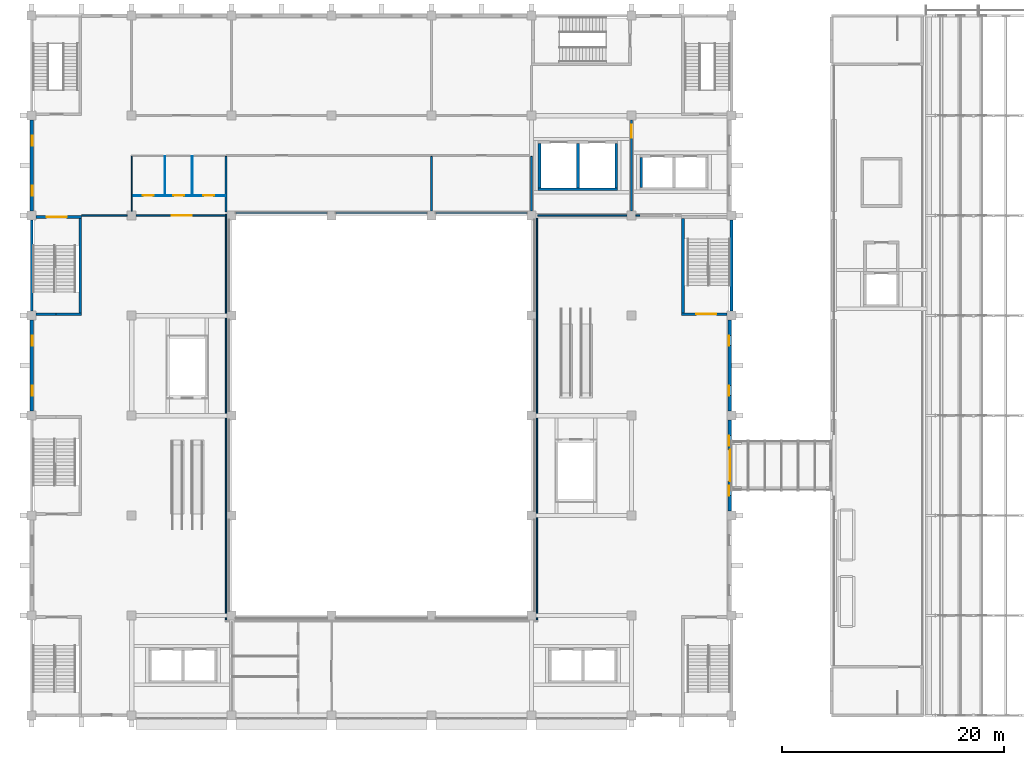
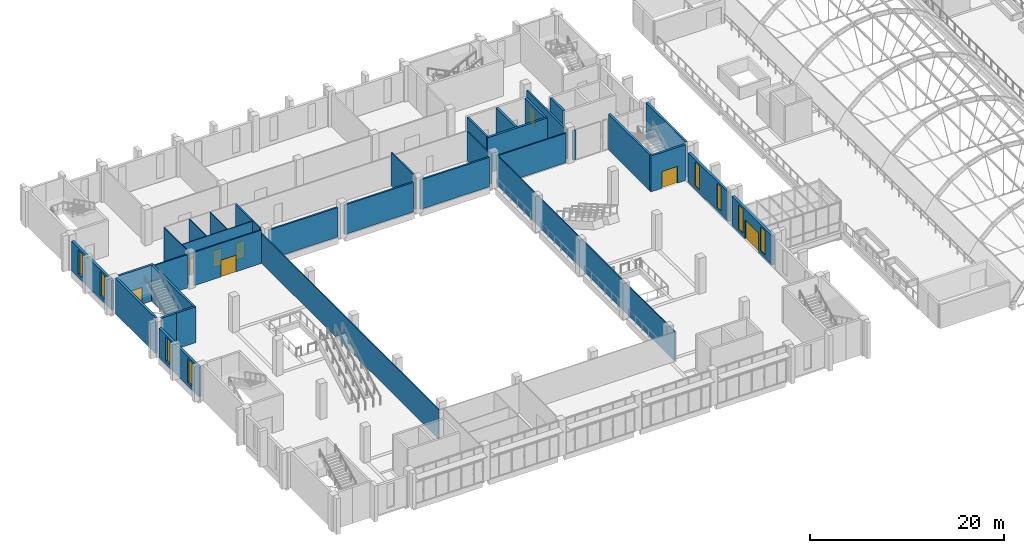
# One storey, part 54 of 79: 34 walls, 8 doors, 8 windows, 16 openings.
"""IFC4 building model written with IfcOpenShell, lengths in metres."""

from ifc_helpers import new_model, si_unit, direction, frame, frame_2d, origin, place, context, subcontext, project, spatial, rectangle, extrude, material, layer, layer_set, type_object, element, fill, save


model = new_model("IFC4")

# Units and contexts
model_context = context("Model", 3, precision=1e-05, world=origin(), true_north=direction((0.0, 1.0)))
body_context = subcontext(model_context, "Body", "Model", "MODEL_VIEW")
ifc_project = project(units=[si_unit("LENGTHUNIT", "METRE"), si_unit("AREAUNIT", "SQUARE_METRE"), si_unit("VOLUMEUNIT", "CUBIC_METRE"), si_unit("PLANEANGLEUNIT", "RADIAN"), si_unit("MASSUNIT", "GRAM", prefix="KILO")], contexts=[model_context])

# Site, building, storey
site_placement = place(None, origin())
site = spatial("IfcSite", under=ifc_project, at=site_placement, CompositionType="ELEMENT")
building_placement = place(site_placement, origin())
building = spatial("IfcBuilding", under=site, at=building_placement, Name="Guidao Yard Department Store", CompositionType="ELEMENT")
storey_placement = place(building_placement, frame((0.0, 0.0, 15.0)))
storey = spatial("IfcBuildingStorey", under=building, at=storey_placement, Name="L03", CompositionType="ELEMENT", Elevation=15.0)

# Wall, openings, doors
ifc_material_1 = material(Name="Moisture-resistant board on Steel Q235 studs", Category="steel")
ifc_layer_1 = layer(ifc_material_1, 0.080078125)
ifc_layer_set_1 = layer_set([ifc_layer_1], Name="Cubicle and Duct Partition P8 80 mm moisture-resistant board")
wall_type_1 = type_object("IfcWallType", Name="Cubicle and Duct Partition P8 80 mm moisture-resistant board", PredefinedType="PARTITIONING", material=ifc_layer_set_1)
wall_1_placement = place(storey_placement, frame((9.050048828125, 91.800048828125, 0.0), z_axis=(0.0, 0.0, 1.0), x_axis=(1.0, 0.0, 0.0)))
wall_1 = element("IfcWall", 1, at=wall_1_placement, inside=storey, type_object=wall_type_1, Name="Wall W-HL03-023", PredefinedType="PARTITIONING", context=body_context, shape_type="SweptSolid", body=[
    extrude(rectangle(XDim=8.375, YDim=0.080078125, at=frame_2d((4.1875, 0.0))), origin(), (0.0, 0.0, 1.0), 4.199951171875),
])
opening_1_placement = place(wall_1_placement, frame((0.949951171875, 0.0, 0.0)))
opening_1 = element("IfcOpeningElement", 2, at=opening_1_placement, cuts=wall_1, Name="Opening HL03-006", PredefinedType="OPENING", context=body_context, shape_type="SweptSolid", body=[
    extrude(rectangle(XDim=1.0, YDim=2.10009765625, at=frame_2d((0.5, 1.050048828125))), frame((0.0, 0.050048828125, 0.0), z_axis=(0.0, -1.0, 0.0), x_axis=(1.0, 0.0, 0.0)), (0.0, 0.0, 1.0), 0.10009765625),
])
opening_2_placement = place(wall_1_placement, frame((3.675048828125, 0.0, 0.0)))
opening_2 = element("IfcOpeningElement", 3, at=opening_2_placement, cuts=wall_1, Name="Opening HL03-007", PredefinedType="OPENING", context=body_context, shape_type="SweptSolid", body=[
    extrude(rectangle(XDim=1.0, YDim=2.10009765625, at=frame_2d((0.5, 1.050048828125))), frame((0.0, 0.050048828125, 0.0), z_axis=(0.0, -1.0, 0.0), x_axis=(1.0, 0.0, 0.0)), (0.0, 0.0, 1.0), 0.10009765625),
])
opening_3_placement = place(wall_1_placement, frame((6.39990234375, 0.0, 0.0)))
opening_3 = element("IfcOpeningElement", 4, at=opening_3_placement, cuts=wall_1, Name="Opening HL03-008", PredefinedType="OPENING", context=body_context, shape_type="SweptSolid", body=[
    extrude(rectangle(XDim=1.0, YDim=2.10009765625, at=frame_2d((0.5, 1.050048828125))), frame((0.0, 0.050048828125, 0.0), z_axis=(0.0, -1.0, 0.0), x_axis=(1.0, 0.0, 0.0)), (0.0, 0.0, 1.0), 0.10009765625),
])
ifc_material_2 = material(Name="Timber door leaf", Category="wood")
door_type_1 = type_object("IfcDoorType", Name="Door AD10 accessible WC 1000 x 2100", OperationType="SINGLE_SWING_LEFT", PredefinedType="DOOR", material=ifc_material_2)
door_1_placement = place(opening_2_placement, origin())
door_1 = element("IfcDoor", 5, at=door_1_placement, inside=storey, type_object=door_type_1, Name="Door HL03-007", OperationType="SINGLE_SWING_RIGHT", OverallHeight=2.10009765625, OverallWidth=1.0, PredefinedType="DOOR", context=body_context, shape_type="SweptSolid", body=[
    extrude(rectangle(XDim=1.0, YDim=2.10009765625, at=frame_2d((0.5, 1.050048828125))), frame((0.0, 0.02490234375, 0.0), z_axis=(0.0, -1.0, 0.0), x_axis=(1.0, 0.0, 0.0)), (0.0, 0.0, 1.0), 0.050048828125),
])
fill(opening_2, door_1)
ifc_material_3 = material(Name="Timber door leaf", Category="wood")
door_type_2 = type_object("IfcDoorType", Name="Door D2 1000 x 2100", OperationType="SINGLE_SWING_LEFT", PredefinedType="DOOR", material=ifc_material_3)
door_2_placement = place(opening_1_placement, origin())
door_2 = element("IfcDoor", 6, at=door_2_placement, inside=storey, type_object=door_type_2, Name="Door HL03-006", OperationType="SINGLE_SWING_LEFT", OverallHeight=2.10009765625, OverallWidth=1.0, PredefinedType="DOOR", context=body_context, shape_type="SweptSolid", body=[
    extrude(rectangle(XDim=1.0, YDim=2.10009765625, at=frame_2d((0.5, 1.050048828125))), frame((0.0, 0.02490234375, 0.0), z_axis=(0.0, -1.0, 0.0), x_axis=(1.0, 0.0, 0.0)), (0.0, 0.0, 1.0), 0.050048828125),
])
fill(opening_1, door_2)
door_3_placement = place(opening_3_placement, origin())
door_3 = element("IfcDoor", 7, at=door_3_placement, inside=storey, type_object=door_type_2, Name="Door HL03-008", OperationType="SINGLE_SWING_RIGHT", OverallHeight=2.10009765625, OverallWidth=1.0, PredefinedType="DOOR", context=body_context, shape_type="SweptSolid", body=[
    extrude(rectangle(XDim=1.0, YDim=2.10009765625, at=frame_2d((0.5, 1.050048828125))), frame((0.0, 0.02490234375, 0.0), z_axis=(0.0, -1.0, 0.0), x_axis=(1.0, 0.0, 0.0)), (0.0, 0.0, 1.0), 0.050048828125),
])
fill(opening_3, door_3)

# Walls
for number, where, z_axis, x_axis, name in (
    (8, (12.0, 91.840087890625, 0.0), (0.0, 0.0, 1.0), (0.0, 1.0, 0.0), "Wall W-HL03-024"),
    (9, (14.449951171875, 91.840087890625, 0.0), (0.0, 0.0, 1.0), (0.0, 1.0, 0.0), "Wall W-HL03-025"),
):
    element("IfcWall", number, at=place(storey_placement, frame(where, z_axis=z_axis, x_axis=x_axis)), inside=storey, type_object=wall_type_1, Name=name, PredefinedType="PARTITIONING", context=body_context, shape_type="SweptSolid", body=[
        extrude(rectangle(XDim=3.510009765625, YDim=0.080078125, at=frame_2d((1.7548828125, 0.0))), origin(), (0.0, 0.0, 1.0), 4.199951171875),
    ])
ifc_material_4 = material(Name="Concrete block MU10", Category="concrete")
ifc_layer_2 = layer(ifc_material_4, 0.199951171875)
ifc_layer_set_2 = layer_set([ifc_layer_2], Name="Fire Wall P3 200 mm blockwork EI 120")
wall_type_2 = type_object("IfcWallType", Name="Fire Wall P3 200 mm blockwork EI 120", PredefinedType="PARTITIONING", material=ifc_layer_set_2)
for number, where, z_axis, x_axis, name in (
    (10, (18.39990234375, 90.22509765625, 0.0), (0.0, 0.0, 1.0), (1.0, 0.0, 0.0), "Wall W-HL03-015"),
    (11, (27.39990234375, 90.22509765625, 0.0), (0.0, 0.0, 1.0), (1.0, 0.0, 0.0), "Wall W-HL03-016"),
    (12, (36.39990234375, 90.22509765625, 0.0), (0.0, 0.0, 1.0), (1.0, 0.0, 0.0), "Wall W-HL03-017"),
):
    element("IfcWall", number, at=place(storey_placement, frame(where, z_axis=z_axis, x_axis=x_axis)), inside=storey, type_object=wall_type_2, Name=name, PredefinedType="PARTITIONING", context=body_context, shape_type="SweptSolid", body=[
        extrude(rectangle(XDim=8.2001953125, YDim=0.199951171875, at=frame_2d((4.10009765625, 0.0))), origin(), (0.0, 0.0, 1.0), 3.699951171875),
    ])

# Wall, opening, door
wall_2_placement = place(storey_placement, frame((54.0, 90.39990234375, 0.0), z_axis=(0.0, 0.0, 1.0), x_axis=(0.0, 1.0, 0.0)))
wall_2 = element("IfcWall", 13, at=wall_2_placement, inside=storey, type_object=wall_type_2, Name="Wall W-HL03-022", PredefinedType="PARTITIONING", context=body_context, shape_type="SweptSolid", body=[
    extrude(rectangle(XDim=8.2001953125, YDim=0.199951171875, at=frame_2d((4.10009765625, 0.0))), origin(), (0.0, 0.0, 1.0), 3.699951171875),
])
opening_4_placement = place(wall_2_placement, frame((7.800048828125, 0.0, 0.0), z_axis=(0.0, 0.0, 1.0), x_axis=(-1.0, 0.0, 0.0)))
opening_4 = element("IfcOpeningElement", 14, at=opening_4_placement, cuts=wall_2, Name="Opening HL03-011", PredefinedType="OPENING", context=body_context, shape_type="SweptSolid", body=[
    extrude(rectangle(XDim=1.199951171875, YDim=2.10009765625, at=frame_2d((0.60009765625, 1.050048828125))), frame((0.0, 0.10986328125, 0.0), z_axis=(0.0, -1.0, 0.0), x_axis=(1.0, 0.0, 0.0)), (0.0, 0.0, 1.0), 0.219970703125),
])
ifc_material_5 = material(Name="Steel Q235", Category="steel")
door_type_3 = type_object("IfcDoorType", Name="Door FD21 lobby 1200 x 2100 FD90 self-closing", OperationType="SINGLE_SWING_LEFT", PredefinedType="DOOR", material=ifc_material_5)
door_4_placement = place(opening_4_placement, origin())
door_4 = element("IfcDoor", 15, at=door_4_placement, inside=storey, type_object=door_type_3, Name="Door HL03-011", OperationType="SINGLE_SWING_LEFT", OverallHeight=2.10009765625, OverallWidth=1.199951171875, PredefinedType="DOOR", context=body_context, shape_type="SweptSolid", body=[
    extrude(rectangle(XDim=1.199951171875, YDim=2.10009765625, at=frame_2d((0.60009765625, 1.050048828125))), frame((0.0, 0.02490234375, 0.0), z_axis=(0.0, -1.0, 0.0), x_axis=(1.0, 0.0, 0.0)), (0.0, 0.0, 1.0), 0.050048828125),
])
fill(opening_4, door_4)

# Walls
ifc_material_6 = material(Name="Fire-rated glazing in Steel Q235 frame", Category="steel")
ifc_layer_3 = layer(ifc_material_6, 0.1201171875)
ifc_layer_set_3 = layer_set([ifc_layer_3], Name="Fire-Glazed Screen P5 120 mm EI 60")
wall_type_3 = type_object("IfcWallType", Name="Fire-Glazed Screen P5 120 mm EI 60", PredefinedType="PARTITIONING", material=ifc_layer_set_3)
for number, where, z_axis, x_axis, name in (
    (16, (17.5, 53.56005859375, 0.0), (0.0, 0.0, 1.0), (0.0, 1.0, 0.0), "Wall W-HL03-007"),
    (17, (45.5, 53.56005859375, 0.0), (0.0, 0.0, 1.0), (0.0, 1.0, 0.0), "Wall W-HL03-008"),
):
    element("IfcWall", number, at=place(storey_placement, frame(where, z_axis=z_axis, x_axis=x_axis)), inside=storey, type_object=wall_type_3, Name=name, PredefinedType="PARTITIONING", context=body_context, shape_type="SweptSolid", body=[
        extrude(rectangle(XDim=36.56494140625, YDim=0.1201171875, at=frame_2d((18.282470703125, 0.0))), origin(), (0.0, 0.0, 1.0), 3.699951171875),
    ])

# Wall, openings, windows
ifc_material_7 = material(Name="Concrete C35", Category="concrete")
ifc_layer_4 = layer(ifc_material_7, 0.300048828125)
ifc_layer_set_4 = layer_set([ifc_layer_4], Name="Hall facade wall 300 C35")
wall_type_4 = type_object("IfcWallType", Name="Hall facade wall 300 C35", PredefinedType="SOLIDWALL", material=ifc_layer_set_4)
wall_3_placement = place(storey_placement, frame((0.0, 72.39990234375, 0.0), z_axis=(0.0, 0.0, 1.0), x_axis=(0.0, 1.0, 0.0)))
wall_3 = element("IfcWall", 18, at=wall_3_placement, inside=storey, type_object=wall_type_4, Name="Hall facade wall", PredefinedType="SOLIDWALL", context=body_context, shape_type="SweptSolid", body=[
    extrude(rectangle(XDim=8.2001953125, YDim=0.300048828125, at=frame_2d((4.10009765625, 0.0))), origin(), (0.0, 0.0, 1.0), 3.699951171875),
])
opening_5_placement = place(wall_3_placement, frame((1.39990234375, 0.0, 0.449951171875)))
opening_5 = element("IfcOpeningElement", 19, at=opening_5_placement, cuts=wall_3, Name="Opening WN-L03-E05", PredefinedType="OPENING", context=body_context, shape_type="SweptSolid", body=[
    extrude(rectangle(XDim=0.89990234375, YDim=3.0, at=frame_2d((0.449951171875, 1.5))), frame((0.0, 0.159912109375, 0.0), z_axis=(0.0, -1.0, 0.0), x_axis=(1.0, 0.0, 0.0)), (0.0, 0.0, 1.0), 0.320068359375),
])
opening_6_placement = place(wall_3_placement, frame((5.89990234375, 0.0, 0.449951171875)))
opening_6 = element("IfcOpeningElement", 20, at=opening_6_placement, cuts=wall_3, Name="Opening WN-L03-E06", PredefinedType="OPENING", context=body_context, shape_type="SweptSolid", body=[
    extrude(rectangle(XDim=0.89990234375, YDim=3.0, at=frame_2d((0.449951171875, 1.5))), frame((0.0, 0.159912109375, 0.0), z_axis=(0.0, -1.0, 0.0), x_axis=(1.0, 0.0, 0.0)), (0.0, 0.0, 1.0), 0.320068359375),
])
ifc_material_8 = material(Name="Laminated glass in aluminium frame", Category="aluminium")
window_type = type_object("IfcWindowType", Name="Slot window SL1 900 x 3000 fixed", PartitioningType="SINGLE_PANEL", PredefinedType="WINDOW", material=ifc_material_8)
window_1_placement = place(opening_5_placement, origin())
window_1 = element("IfcWindow", 21, at=window_1_placement, inside=storey, type_object=window_type, Name="Slot window", OverallHeight=3.0, OverallWidth=0.89990234375, PartitioningType="SINGLE_PANEL", PredefinedType="WINDOW", context=body_context, shape_type="SweptSolid", body=[
    extrude(rectangle(XDim=0.89990234375, YDim=3.0, at=frame_2d((0.449951171875, 1.5))), frame((0.0, -0.030029296875, 0.0), z_axis=(0.0, -1.0, 0.0), x_axis=(1.0, 0.0, 0.0)), (0.0, 0.0, 1.0), 0.06005859375),
])
fill(opening_5, window_1)
window_2_placement = place(opening_6_placement, origin())
window_2 = element("IfcWindow", 22, at=window_2_placement, inside=storey, type_object=window_type, Name="Slot window", OverallHeight=3.0, OverallWidth=0.89990234375, PartitioningType="SINGLE_PANEL", PredefinedType="WINDOW", context=body_context, shape_type="SweptSolid", body=[
    extrude(rectangle(XDim=0.89990234375, YDim=3.0, at=frame_2d((0.449951171875, 1.5))), frame((0.0, -0.030029296875, 0.0), z_axis=(0.0, -1.0, 0.0), x_axis=(1.0, 0.0, 0.0)), (0.0, 0.0, 1.0), 0.06005859375),
])
fill(opening_6, window_2)

wall_4_placement = place(storey_placement, frame((0.0, 90.39990234375, 0.0), z_axis=(0.0, 0.0, 1.0), x_axis=(0.0, 1.0, 0.0)))
wall_4 = element("IfcWall", 23, at=wall_4_placement, inside=storey, type_object=wall_type_4, Name="Hall facade wall", PredefinedType="SOLIDWALL", context=body_context, shape_type="SweptSolid", body=[
    extrude(rectangle(XDim=8.2001953125, YDim=0.300048828125, at=frame_2d((4.10009765625, 0.0))), origin(), (0.0, 0.0, 1.0), 3.699951171875),
])
opening_7_placement = place(wall_4_placement, frame((1.39990234375, 0.0, 0.449951171875)))
opening_7 = element("IfcOpeningElement", 24, at=opening_7_placement, cuts=wall_4, Name="Opening WN-L03-E07", PredefinedType="OPENING", context=body_context, shape_type="SweptSolid", body=[
    extrude(rectangle(XDim=0.89990234375, YDim=3.0, at=frame_2d((0.449951171875, 1.5))), frame((0.0, 0.159912109375, 0.0), z_axis=(0.0, -1.0, 0.0), x_axis=(1.0, 0.0, 0.0)), (0.0, 0.0, 1.0), 0.320068359375),
])
opening_8_placement = place(wall_4_placement, frame((5.89990234375, 0.0, 0.449951171875)))
opening_8 = element("IfcOpeningElement", 25, at=opening_8_placement, cuts=wall_4, Name="Opening WN-L03-E08", PredefinedType="OPENING", context=body_context, shape_type="SweptSolid", body=[
    extrude(rectangle(XDim=0.89990234375, YDim=3.0, at=frame_2d((0.449951171875, 1.5))), frame((0.0, 0.159912109375, 0.0), z_axis=(0.0, -1.0, 0.0), x_axis=(1.0, 0.0, 0.0)), (0.0, 0.0, 1.0), 0.320068359375),
])
window_3_placement = place(opening_7_placement, origin())
window_3 = element("IfcWindow", 26, at=window_3_placement, inside=storey, type_object=window_type, Name="Slot window", OverallHeight=3.0, OverallWidth=0.89990234375, PartitioningType="SINGLE_PANEL", PredefinedType="WINDOW", context=body_context, shape_type="SweptSolid", body=[
    extrude(rectangle(XDim=0.89990234375, YDim=3.0, at=frame_2d((0.449951171875, 1.5))), frame((0.0, -0.030029296875, 0.0), z_axis=(0.0, -1.0, 0.0), x_axis=(1.0, 0.0, 0.0)), (0.0, 0.0, 1.0), 0.06005859375),
])
fill(opening_7, window_3)
window_4_placement = place(opening_8_placement, origin())
window_4 = element("IfcWindow", 27, at=window_4_placement, inside=storey, type_object=window_type, Name="Slot window", OverallHeight=3.0, OverallWidth=0.89990234375, PartitioningType="SINGLE_PANEL", PredefinedType="WINDOW", context=body_context, shape_type="SweptSolid", body=[
    extrude(rectangle(XDim=0.89990234375, YDim=3.0, at=frame_2d((0.449951171875, 1.5))), frame((0.0, -0.030029296875, 0.0), z_axis=(0.0, -1.0, 0.0), x_axis=(1.0, 0.0, 0.0)), (0.0, 0.0, 1.0), 0.06005859375),
])
fill(opening_8, window_4)

# Wall, openings, door, windows
wall_5_placement = place(storey_placement, frame((62.85009765625, 71.60009765625, 0.0), z_axis=(0.0, 0.0, 1.0), x_axis=(0.0, -1.0, 0.0)))
wall_5 = element("IfcWall", 28, at=wall_5_placement, inside=storey, type_object=wall_type_4, Name="Hall facade wall", PredefinedType="SOLIDWALL", context=body_context, shape_type="SweptSolid", body=[
    extrude(rectangle(XDim=8.2001953125, YDim=0.300048828125, at=frame_2d((4.10009765625, 0.0))), origin(), (0.0, 0.0, 1.0), 3.699951171875),
])
opening_9_placement = place(wall_5_placement, frame((2.699951171875, 0.0, 0.0)))
opening_9 = element("IfcOpeningElement", 29, at=opening_9_placement, cuts=wall_5, Name="Opening L03-850", PredefinedType="OPENING", context=body_context, shape_type="SweptSolid", body=[
    extrude(rectangle(XDim=2.800048828125, YDim=2.39990234375, at=frame_2d((1.39990234375, 1.199951171875))), frame((0.0, 0.159912109375, 0.0), z_axis=(0.0, -1.0, 0.0), x_axis=(1.0, 0.0, 0.0)), (0.0, 0.0, 1.0), 0.320068359375),
])
opening_10_placement = place(wall_5_placement, frame((5.89990234375, 0.0, 0.449951171875)))
opening_10 = element("IfcOpeningElement", 30, at=opening_10_placement, cuts=wall_5, Name="Opening WN-L03-E21", PredefinedType="OPENING", context=body_context, shape_type="SweptSolid", body=[
    extrude(rectangle(XDim=0.89990234375, YDim=3.0, at=frame_2d((0.449951171875, 1.5))), frame((0.0, 0.159912109375, 0.0), z_axis=(0.0, -1.0, 0.0), x_axis=(1.0, 0.0, 0.0)), (0.0, 0.0, 1.0), 0.320068359375),
])
opening_11_placement = place(wall_5_placement, frame((1.39990234375, 0.0, 0.449951171875)))
opening_11 = element("IfcOpeningElement", 31, at=opening_11_placement, cuts=wall_5, Name="Opening WN-L03-E22", PredefinedType="OPENING", context=body_context, shape_type="SweptSolid", body=[
    extrude(rectangle(XDim=0.89990234375, YDim=3.0, at=frame_2d((0.449951171875, 1.5))), frame((0.0, 0.159912109375, 0.0), z_axis=(0.0, -1.0, 0.0), x_axis=(1.0, 0.0, 0.0)), (0.0, 0.0, 1.0), 0.320068359375),
])
ifc_material_9 = material(Name="Fire-resistant glass in steel frame", Category="steel")
door_type_4 = type_object("IfcDoorType", Name="Bridge door BD1 2800 x 2400 fire-rated glazed double leaf", OperationType="DOUBLE_DOOR_SINGLE_SWING", PredefinedType="DOOR", material=ifc_material_9)
door_5_placement = place(opening_9_placement, origin())
door_5 = element("IfcDoor", 32, at=door_5_placement, inside=storey, type_object=door_type_4, Name="Bridge door BR05", OperationType="DOUBLE_DOOR_SINGLE_SWING", OverallHeight=2.39990234375, OverallWidth=2.800048828125, PredefinedType="DOOR", context=body_context, shape_type="SweptSolid", body=[
    extrude(rectangle(XDim=2.800048828125, YDim=2.39990234375, at=frame_2d((1.39990234375, 1.199951171875))), frame((0.0, 0.02490234375, 0.0), z_axis=(0.0, -1.0, 0.0), x_axis=(1.0, 0.0, 0.0)), (0.0, 0.0, 1.0), 0.050048828125),
])
fill(opening_9, door_5)
window_5_placement = place(opening_10_placement, origin())
window_5 = element("IfcWindow", 33, at=window_5_placement, inside=storey, type_object=window_type, Name="Slot window", OverallHeight=3.0, OverallWidth=0.89990234375, PartitioningType="SINGLE_PANEL", PredefinedType="WINDOW", context=body_context, shape_type="SweptSolid", body=[
    extrude(rectangle(XDim=0.89990234375, YDim=3.0, at=frame_2d((0.449951171875, 1.5))), frame((0.0, -0.030029296875, 0.0), z_axis=(0.0, -1.0, 0.0), x_axis=(1.0, 0.0, 0.0)), (0.0, 0.0, 1.0), 0.06005859375),
])
fill(opening_10, window_5)
window_6_placement = place(opening_11_placement, origin())
window_6 = element("IfcWindow", 34, at=window_6_placement, inside=storey, type_object=window_type, Name="Slot window", OverallHeight=3.0, OverallWidth=0.89990234375, PartitioningType="SINGLE_PANEL", PredefinedType="WINDOW", context=body_context, shape_type="SweptSolid", body=[
    extrude(rectangle(XDim=0.89990234375, YDim=3.0, at=frame_2d((0.449951171875, 1.5))), frame((0.0, -0.030029296875, 0.0), z_axis=(0.0, -1.0, 0.0), x_axis=(1.0, 0.0, 0.0)), (0.0, 0.0, 1.0), 0.06005859375),
])
fill(opening_11, window_6)

# Wall, openings, windows
wall_6_placement = place(storey_placement, frame((62.85009765625, 80.60009765625, 0.0), z_axis=(0.0, 0.0, 1.0), x_axis=(0.0, -1.0, 0.0)))
wall_6 = element("IfcWall", 35, at=wall_6_placement, inside=storey, type_object=wall_type_4, Name="Hall facade wall", PredefinedType="SOLIDWALL", context=body_context, shape_type="SweptSolid", body=[
    extrude(rectangle(XDim=8.2001953125, YDim=0.300048828125, at=frame_2d((4.10009765625, 0.0))), origin(), (0.0, 0.0, 1.0), 3.699951171875),
])
opening_12_placement = place(wall_6_placement, frame((5.89990234375, 0.0, 0.449951171875)))
opening_12 = element("IfcOpeningElement", 36, at=opening_12_placement, cuts=wall_6, Name="Opening WN-L03-E23", PredefinedType="OPENING", context=body_context, shape_type="SweptSolid", body=[
    extrude(rectangle(XDim=0.89990234375, YDim=3.0, at=frame_2d((0.449951171875, 1.5))), frame((0.0, 0.159912109375, 0.0), z_axis=(0.0, -1.0, 0.0), x_axis=(1.0, 0.0, 0.0)), (0.0, 0.0, 1.0), 0.320068359375),
])
opening_13_placement = place(wall_6_placement, frame((1.39990234375, 0.0, 0.449951171875)))
opening_13 = element("IfcOpeningElement", 37, at=opening_13_placement, cuts=wall_6, Name="Opening WN-L03-E24", PredefinedType="OPENING", context=body_context, shape_type="SweptSolid", body=[
    extrude(rectangle(XDim=0.89990234375, YDim=3.0, at=frame_2d((0.449951171875, 1.5))), frame((0.0, 0.159912109375, 0.0), z_axis=(0.0, -1.0, 0.0), x_axis=(1.0, 0.0, 0.0)), (0.0, 0.0, 1.0), 0.320068359375),
])
window_7_placement = place(opening_12_placement, origin())
window_7 = element("IfcWindow", 38, at=window_7_placement, inside=storey, type_object=window_type, Name="Slot window", OverallHeight=3.0, OverallWidth=0.89990234375, PartitioningType="SINGLE_PANEL", PredefinedType="WINDOW", context=body_context, shape_type="SweptSolid", body=[
    extrude(rectangle(XDim=0.89990234375, YDim=3.0, at=frame_2d((0.449951171875, 1.5))), frame((0.0, -0.030029296875, 0.0), z_axis=(0.0, -1.0, 0.0), x_axis=(1.0, 0.0, 0.0)), (0.0, 0.0, 1.0), 0.06005859375),
])
fill(opening_12, window_7)
window_8_placement = place(opening_13_placement, origin())
window_8 = element("IfcWindow", 39, at=window_8_placement, inside=storey, type_object=window_type, Name="Slot window", OverallHeight=3.0, OverallWidth=0.89990234375, PartitioningType="SINGLE_PANEL", PredefinedType="WINDOW", context=body_context, shape_type="SweptSolid", body=[
    extrude(rectangle(XDim=0.89990234375, YDim=3.0, at=frame_2d((0.449951171875, 1.5))), frame((0.0, -0.030029296875, 0.0), z_axis=(0.0, -1.0, 0.0), x_axis=(1.0, 0.0, 0.0)), (0.0, 0.0, 1.0), 0.06005859375),
])
fill(opening_13, window_8)

# Walls
ifc_material_10 = material(Name="Gypsum board on Steel Q235 studs", Category="steel")
ifc_layer_5 = layer(ifc_material_10, 0.10009765625)
ifc_layer_set_5 = layer_set([ifc_layer_5], Name="Partition P1 100 mm gypsum board EI 30")
wall_type_5 = type_object("IfcWallType", Name="Partition P1 100 mm gypsum board EI 30", PredefinedType="PARTITIONING", material=ifc_layer_set_5)
wall_7_placement = place(storey_placement, frame((9.0, 90.39990234375, 0.0), z_axis=(0.0, 0.0, 1.0), x_axis=(0.0, 1.0, 0.0)))
element("IfcWall", 40, at=wall_7_placement, inside=storey, type_object=wall_type_5, Name="Wall W-HL03-019", PredefinedType="PARTITIONING", context=body_context, shape_type="SweptSolid", body=[
    extrude(rectangle(XDim=4.9501953125, YDim=0.10009765625, at=frame_2d((2.47509765625, 0.0))), origin(), (0.0, 0.0, 1.0), 4.199951171875),
])
ifc_material_11 = material(Name="Concrete block MU10", Category="concrete")
ifc_layer_6 = layer(ifc_material_11, 0.14990234375)
ifc_layer_set_6 = layer_set([ifc_layer_6], Name="Wall P2 150 mm blockwork EI 60")
wall_type_6 = type_object("IfcWallType", Name="Wall P2 150 mm blockwork EI 60", PredefinedType="PARTITIONING", material=ifc_layer_set_6)
wall_8_placement = place(storey_placement, frame((4.5, 90.0, 0.0), z_axis=(0.0, 0.0, 1.0), x_axis=(1.0, 0.0, 0.0)))
element("IfcWall", 41, at=wall_8_placement, inside=storey, type_object=wall_type_6, Name="Wall W-HL03-009", PredefinedType="PARTITIONING", context=body_context, shape_type="SweptSolid", body=[
    extrude(rectangle(XDim=4.10009765625, YDim=0.14990234375, at=frame_2d((2.050048828125, 0.0))), origin(), (0.0, 0.0, 1.0), 4.199951171875),
])

# Wall, opening, door
wall_9_placement = place(storey_placement, frame((9.39990234375, 90.0, 0.0), z_axis=(0.0, 0.0, 1.0), x_axis=(1.0, 0.0, 0.0)))
wall_9 = element("IfcWall", 42, at=wall_9_placement, inside=storey, type_object=wall_type_6, Name="Wall W-HL03-010", PredefinedType="PARTITIONING", context=body_context, shape_type="SweptSolid", body=[
    extrude(rectangle(XDim=8.0400390625, YDim=0.14990234375, at=frame_2d((4.02001953125, 0.0))), origin(), (0.0, 0.0, 1.0), 4.199951171875),
])
opening_14_placement = place(wall_9_placement, frame((5.0, 0.0, 0.0), z_axis=(0.0, 0.0, 1.0), x_axis=(-1.0, 0.0, 0.0)))
opening_14 = element("IfcOpeningElement", 43, at=opening_14_placement, cuts=wall_9, Name="Opening HL03-005", PredefinedType="OPENING", context=body_context, shape_type="SweptSolid", body=[
    extrude(rectangle(XDim=1.800048828125, YDim=2.10009765625, at=frame_2d((0.89990234375, 1.050048828125))), frame((0.0, 0.0849609375, 0.0), z_axis=(0.0, -1.0, 0.0), x_axis=(1.0, 0.0, 0.0)), (0.0, 0.0, 1.0), 0.169921875),
])
ifc_material_12 = material(Name="Timber door leaf", Category="wood")
door_type_5 = type_object("IfcDoorType", Name="Door D3 double 1800 x 2100", OperationType="DOUBLE_DOOR_SINGLE_SWING", PredefinedType="DOOR", material=ifc_material_12)
door_6_placement = place(opening_14_placement, origin())
door_6 = element("IfcDoor", 44, at=door_6_placement, inside=storey, type_object=door_type_5, Name="Door HL03-005", OperationType="DOUBLE_DOOR_SINGLE_SWING", OverallHeight=2.10009765625, OverallWidth=1.800048828125, PredefinedType="DOOR", context=body_context, shape_type="SweptSolid", body=[
    extrude(rectangle(XDim=1.800048828125, YDim=2.10009765625, at=frame_2d((0.89990234375, 1.050048828125))), frame((0.0, 0.02490234375, 0.0), z_axis=(0.0, -1.0, 0.0), x_axis=(1.0, 0.0, 0.0)), (0.0, 0.0, 1.0), 0.050048828125),
])
fill(opening_14, door_6)

# Walls
wall_10_placement = place(storey_placement, frame((45.56005859375, 90.0, 0.0), z_axis=(0.0, 0.0, 1.0), x_axis=(1.0, 0.0, 0.0)))
element("IfcWall", 45, at=wall_10_placement, inside=storey, type_object=wall_type_6, Name="Wall W-HL03-011", PredefinedType="PARTITIONING", context=body_context, shape_type="SweptSolid", body=[
    extrude(rectangle(XDim=8.0400390625, YDim=0.14990234375, at=frame_2d((4.02001953125, 0.0))), origin(), (0.0, 0.0, 1.0), 3.699951171875),
])
wall_11_placement = place(storey_placement, frame((54.39990234375, 90.0, 0.0), z_axis=(0.0, 0.0, 1.0), x_axis=(1.0, 0.0, 0.0)))
element("IfcWall", 46, at=wall_11_placement, inside=storey, type_object=wall_type_6, Name="Wall W-HL03-012", PredefinedType="PARTITIONING", context=body_context, shape_type="SweptSolid", body=[
    extrude(rectangle(XDim=0.35009765625, YDim=0.14990234375, at=frame_2d((0.175048828125, 0.0))), origin(), (0.0, 0.0, 1.0), 3.699951171875),
])
wall_12_placement = place(storey_placement, frame((17.5, 90.324951171875, 0.0), z_axis=(0.0, 0.0, 1.0), x_axis=(0.0, 1.0, 0.0)))
element("IfcWall", 47, at=wall_12_placement, inside=storey, type_object=wall_type_6, Name="Wall W-HL03-018", PredefinedType="PARTITIONING", context=body_context, shape_type="SweptSolid", body=[
    extrude(rectangle(XDim=5.0, YDim=0.14990234375, at=frame_2d((2.5, 0.0))), origin(), (0.0, 0.0, 1.0), 4.199951171875),
])
wall_13_placement = place(storey_placement, frame((36.0, 90.39990234375, 0.0), z_axis=(0.0, 0.0, 1.0), x_axis=(0.0, 1.0, 0.0)))
element("IfcWall", 48, at=wall_13_placement, inside=storey, type_object=wall_type_6, Name="Wall W-HL03-020", PredefinedType="PARTITIONING", context=body_context, shape_type="SweptSolid", body=[
    extrude(rectangle(XDim=4.925048828125, YDim=0.14990234375, at=frame_2d((2.46240234375, 0.0))), origin(), (0.0, 0.0, 1.0), 4.199951171875),
])
wall_14_placement = place(storey_placement, frame((45.0, 90.39990234375, 0.0), z_axis=(0.0, 0.0, 1.0), x_axis=(0.0, 1.0, 0.0)))
element("IfcWall", 49, at=wall_14_placement, inside=storey, type_object=wall_type_6, Name="Wall W-HL03-021", PredefinedType="PARTITIONING", context=body_context, shape_type="SweptSolid", body=[
    extrude(rectangle(XDim=4.925048828125, YDim=0.14990234375, at=frame_2d((2.46240234375, 0.0))), origin(), (0.0, 0.0, 1.0), 3.699951171875),
])
ifc_material_13 = material(Name="Concrete C40", Category="concrete")
ifc_layer_7 = layer(ifc_material_13, 0.25)
ifc_layer_set_7 = layer_set([ifc_layer_7], Name="Wall RC 250 C40 stair and shaft")
wall_type_7 = type_object("IfcWallType", Name="Wall RC 250 C40 stair and shaft", PredefinedType="SHEAR", material=ifc_layer_set_7)
wall_15_placement = place(storey_placement, frame((0.39990234375, 81.125, 0.0), z_axis=(0.0, 0.0, 1.0), x_axis=(1.0, 0.0, 0.0)))
element("IfcWall", 50, at=wall_15_placement, inside=storey, type_object=wall_type_7, Name="Stair wall SA3", PredefinedType="SHEAR", context=body_context, shape_type="SweptSolid", body=[
    extrude(rectangle(XDim=1.7880859375, YDim=0.25, at=frame_2d((0.89404296875, 0.0))), origin(), (0.0, 0.0, 1.0), 4.5),
])
wall_16_placement = place(storey_placement, frame((2.18798828125, 81.125, 0.0), z_axis=(0.0, 0.0, 1.0), x_axis=(1.0, 0.0, 0.0)))
element("IfcWall", 51, at=wall_16_placement, inside=storey, type_object=wall_type_7, Name="Stair wall SA3", PredefinedType="SHEAR", context=body_context, shape_type="SweptSolid", body=[
    extrude(rectangle(XDim=2.31201171875, YDim=0.25, at=frame_2d((1.156005859375, 0.0))), origin(), (0.0, 0.0, 1.0), 4.5),
])

# Wall, opening, door
wall_17_placement = place(storey_placement, frame((0.39990234375, 89.875, 0.0), z_axis=(0.0, 0.0, 1.0), x_axis=(1.0, 0.0, 0.0)))
wall_17 = element("IfcWall", 52, at=wall_17_placement, inside=storey, type_object=wall_type_7, Name="Stair wall SA3", PredefinedType="SHEAR", context=body_context, shape_type="SweptSolid", body=[
    extrude(rectangle(XDim=4.10009765625, YDim=0.25, at=frame_2d((2.050048828125, 0.0))), origin(), (0.0, 0.0, 1.0), 4.5),
])
opening_15_placement = place(wall_17_placement, frame((2.75, 0.0, 0.0), z_axis=(0.0, 0.0, 1.0), x_axis=(-1.0, 0.0, 0.0)))
opening_15 = element("IfcOpeningElement", 53, at=opening_15_placement, cuts=wall_17, Name="Opening L03-802", PredefinedType="OPENING", context=body_context, shape_type="SweptSolid", body=[
    extrude(rectangle(XDim=1.800048828125, YDim=2.10009765625, at=frame_2d((0.89990234375, 1.050048828125))), frame((0.0, 0.135009765625, 0.0), z_axis=(0.0, -1.0, 0.0), x_axis=(1.0, 0.0, 0.0)), (0.0, 0.0, 1.0), 0.27001953125),
])
ifc_material_14 = material(Name="Steel Q235", Category="steel")
door_type_6 = type_object("IfcDoorType", Name="Door fire-resisting 1800 x 2100 FD60", OperationType="DOUBLE_DOOR_SINGLE_SWING", PredefinedType="DOOR", material=ifc_material_14)
door_7_placement = place(opening_15_placement, origin())
door_7 = element("IfcDoor", 54, at=door_7_placement, inside=storey, type_object=door_type_6, Name="Stair A3 door L03", OperationType="DOUBLE_DOOR_SINGLE_SWING", OverallHeight=2.10009765625, OverallWidth=1.800048828125, PredefinedType="DOOR", context=body_context, shape_type="SweptSolid", body=[
    extrude(rectangle(XDim=1.800048828125, YDim=2.10009765625, at=frame_2d((0.89990234375, 1.050048828125))), frame((0.0, 0.02490234375, 0.0), z_axis=(0.0, -1.0, 0.0), x_axis=(1.0, 0.0, 0.0)), (0.0, 0.0, 1.0), 0.050048828125),
])
fill(opening_15, door_7)

# Walls
wall_18_placement = place(storey_placement, frame((0.0, 81.39990234375, 0.0), z_axis=(0.0, 0.0, 1.0), x_axis=(0.0, 1.0, 0.0)))
element("IfcWall", 55, at=wall_18_placement, inside=storey, type_object=wall_type_7, Name="Stair wall SA3", PredefinedType="SHEAR", context=body_context, shape_type="SweptSolid", body=[
    extrude(rectangle(XDim=8.2001953125, YDim=0.25, at=frame_2d((4.10009765625, 0.0))), origin(), (0.0, 0.0, 1.0), 4.5),
])
wall_19_placement = place(storey_placement, frame((4.375, 81.25, 0.0), z_axis=(0.0, 0.0, 1.0), x_axis=(0.0, 1.0, 0.0)))
element("IfcWall", 56, at=wall_19_placement, inside=storey, type_object=wall_type_7, Name="Stair wall SA3", PredefinedType="SHEAR", context=body_context, shape_type="SweptSolid", body=[
    extrude(rectangle(XDim=8.5, YDim=0.25, at=frame_2d((4.25, 0.0))), origin(), (0.0, 0.0, 1.0), 4.5),
])

# Wall, opening, door
wall_20_placement = place(storey_placement, frame((58.5, 81.125, 0.0), z_axis=(0.0, 0.0, 1.0), x_axis=(1.0, 0.0, 0.0)))
wall_20 = element("IfcWall", 57, at=wall_20_placement, inside=storey, type_object=wall_type_7, Name="Stair wall SA4", PredefinedType="SHEAR", context=body_context, shape_type="SweptSolid", body=[
    extrude(rectangle(XDim=4.10009765625, YDim=0.25, at=frame_2d((2.050048828125, 0.0))), origin(), (0.0, 0.0, 1.0), 4.5),
])
opening_16_placement = place(wall_20_placement, frame((1.35009765625, 0.0, 0.0)))
opening_16 = element("IfcOpeningElement", 58, at=opening_16_placement, cuts=wall_20, Name="Opening L03-803", PredefinedType="OPENING", context=body_context, shape_type="SweptSolid", body=[
    extrude(rectangle(XDim=1.800048828125, YDim=2.10009765625, at=frame_2d((0.89990234375, 1.050048828125))), frame((0.0, 0.135009765625, 0.0), z_axis=(0.0, -1.0, 0.0), x_axis=(1.0, 0.0, 0.0)), (0.0, 0.0, 1.0), 0.27001953125),
])
door_8_placement = place(opening_16_placement, origin())
door_8 = element("IfcDoor", 59, at=door_8_placement, inside=storey, type_object=door_type_6, Name="Stair A4 door L03", OperationType="DOUBLE_DOOR_SINGLE_SWING", OverallHeight=2.10009765625, OverallWidth=1.800048828125, PredefinedType="DOOR", context=body_context, shape_type="SweptSolid", body=[
    extrude(rectangle(XDim=1.800048828125, YDim=2.10009765625, at=frame_2d((0.89990234375, 1.050048828125))), frame((0.0, 0.02490234375, 0.0), z_axis=(0.0, -1.0, 0.0), x_axis=(1.0, 0.0, 0.0)), (0.0, 0.0, 1.0), 0.050048828125),
])
fill(opening_16, door_8)

# Walls
wall_21_placement = place(storey_placement, frame((58.625, 81.25, 0.0), z_axis=(0.0, 0.0, 1.0), x_axis=(0.0, 1.0, 0.0)))
element("IfcWall", 60, at=wall_21_placement, inside=storey, type_object=wall_type_7, Name="Stair wall SA4", PredefinedType="SHEAR", context=body_context, shape_type="SweptSolid", body=[
    extrude(rectangle(XDim=8.5, YDim=0.25, at=frame_2d((4.25, 0.0))), origin(), (0.0, 0.0, 1.0), 4.5),
])
wall_22_placement = place(storey_placement, frame((63.0, 81.39990234375, 0.0), z_axis=(0.0, 0.0, 1.0), x_axis=(0.0, 1.0, 0.0)))
element("IfcWall", 61, at=wall_22_placement, inside=storey, type_object=wall_type_7, Name="Stair wall SA4", PredefinedType="SHEAR", context=body_context, shape_type="SweptSolid", body=[
    extrude(rectangle(XDim=8.2001953125, YDim=0.25, at=frame_2d((4.10009765625, 0.0))), origin(), (0.0, 0.0, 1.0), 4.5),
])
wall_23_placement = place(storey_placement, frame((45.60009765625, 92.375, 0.0), z_axis=(0.0, 0.0, 1.0), x_axis=(1.0, 0.0, 0.0)))
element("IfcWall", 62, at=wall_23_placement, inside=storey, type_object=wall_type_7, Name="Lift shaft wall HG1 to HG2", PredefinedType="SHEAR", context=body_context, shape_type="SweptSolid", body=[
    extrude(rectangle(XDim=7.14990234375, YDim=0.25, at=frame_2d((3.574951171875, 0.0))), origin(), (0.0, 0.0, 1.0), 4.5),
])
for number, where, z_axis, x_axis, name in (
    (63, (45.72509765625, 92.5, 0.0), (0.0, 0.0, 1.0), (0.0, 1.0, 0.0), "Lift shaft wall HG1 to HG2"),
    (64, (49.175048828125, 92.5, 0.0), (0.0, 0.0, 1.0), (0.0, 1.0, 0.0), "Lift shaft wall HG1 to HG2"),
    (65, (52.625, 92.5, 0.0), (0.0, 0.0, 1.0), (0.0, 1.0, 0.0), "Lift shaft wall HG1 to HG2"),
):
    element("IfcWall", number, at=place(storey_placement, frame(where, z_axis=z_axis, x_axis=x_axis)), inside=storey, type_object=wall_type_7, Name=name, PredefinedType="SHEAR", context=body_context, shape_type="SweptSolid", body=[
        extrude(rectangle(XDim=4.0, YDim=0.25, at=frame_2d((2.0, 0.0))), origin(), (0.0, 0.0, 1.0), 4.5),
    ])
wall_24_placement = place(storey_placement, frame((54.875, 92.550048828125, 0.0), z_axis=(0.0, 0.0, 1.0), x_axis=(0.0, 1.0, 0.0)))
element("IfcWall", 66, at=wall_24_placement, inside=storey, type_object=wall_type_7, Name="Lift shaft wall HF1 to HF2", PredefinedType="SHEAR", context=body_context, shape_type="SweptSolid", body=[
    extrude(rectangle(XDim=2.699951171875, YDim=0.25, at=frame_2d((1.35009765625, 0.0))), origin(), (0.0, 0.0, 1.0), 4.5),
])

save(model, "model.ifc")
